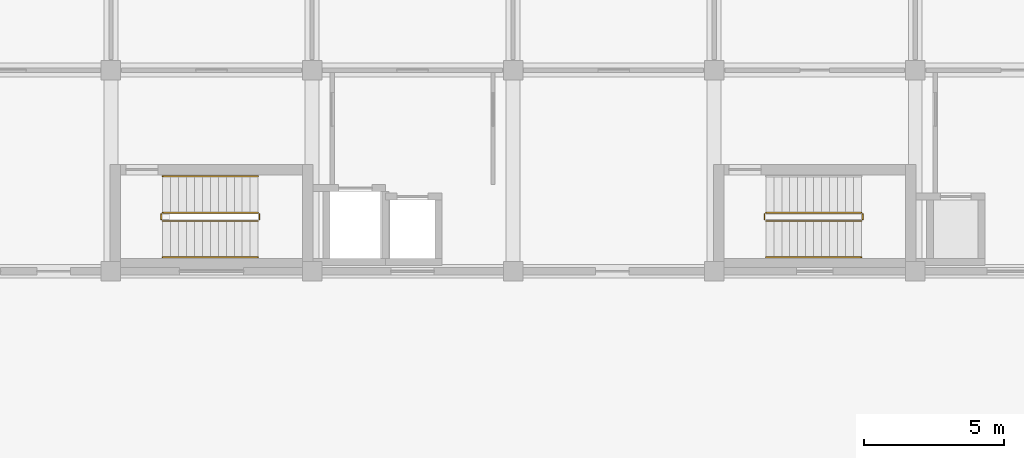
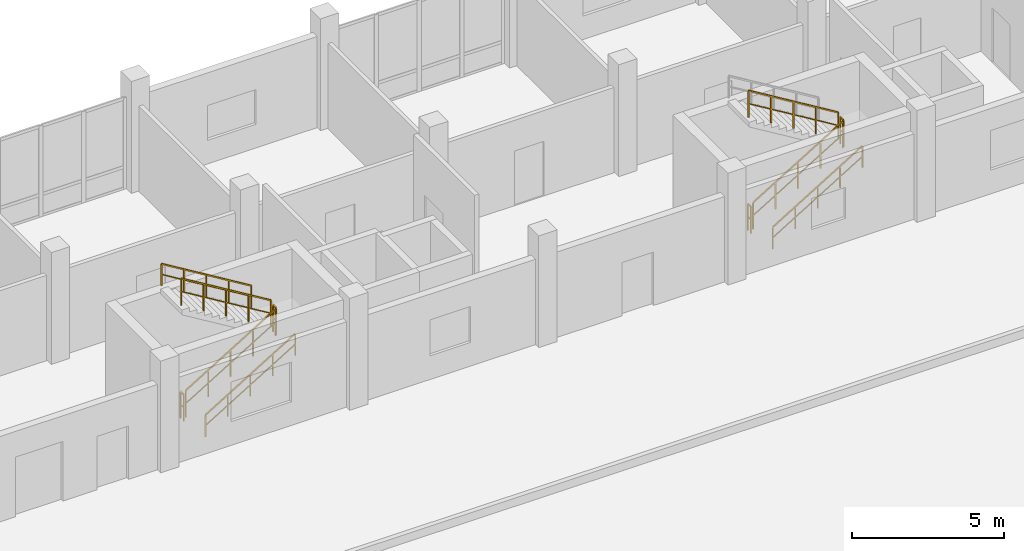
# One storey, part 137 of 139: 11 railings.
"""IFC4 building model written with IfcOpenShell, lengths in metres."""

import ifcopenshell
import ifcopenshell.guid

model = None  # the IFC model being written
_history = None  # IfcOwnerHistory: only IFC2X3 demands one
_inside = {}  # id of a spatial element -> (the spatial element, [elements in it])
_under = {}  # id of a project, library or spatial element -> (it, [spatial elements below it])
_declared = {}  # id of a project -> (the project, [libraries it declares])
_typed = {}  # id of a type object -> (the type object, [elements of that type])
_made_of = {}  # id of a material, layer set ... -> (it, [elements and type objects made of it])


def new_model(schema):
    """Start an empty IFC model of exactly this schema.

    Asked for "IFC4X3", IfcOpenShell would pick the latest addendum, in which some entities
    have other attributes; the version numbers below select the first issue.
    IFC2X3 requires an IfcOwnerHistory on every rooted entity: one is made here for all.
    """
    global model, _history
    if schema == "IFC4X3":
        model = ifcopenshell.file(schema_version=(4, 3, 0, 0))
    else:
        model = ifcopenshell.file(schema=schema)
    _inside.clear()
    _under.clear()
    _declared.clear()
    _typed.clear()
    _made_of.clear()
    _history = None
    if model.schema == "IFC2X3":
        org = make("IfcOrganization", Name="unknown")
        user = make(
            "IfcPersonAndOrganization",
            ThePerson=make("IfcPerson", FamilyName="unknown"),
            TheOrganization=org,
        )
        app = make(
            "IfcApplication",
            ApplicationDeveloper=org,
            Version="unknown",
            ApplicationFullName="unknown",
            ApplicationIdentifier="unknown",
        )
        _history = make(
            "IfcOwnerHistory",
            OwningUser=user,
            OwningApplication=app,
            ChangeAction="ADDED",
            CreationDate=0,
        )
    return model


def make(cls, **values):
    """One entity of the class cls with the attributes given. An attribute that is None is left unset."""
    return model.create_entity(
        cls, **{name: value for name, value in values.items() if value is not None}
    )


def rooted(cls, **values):
    """An entity with a GlobalId (a new one), such as an element, a storey or a relation."""
    return make(cls, GlobalId=ifcopenshell.guid.new(), OwnerHistory=_history, **values)


def si_unit(unit_type, name, prefix=None):
    """IfcSIUnit, for example si_unit("LENGTHUNIT", "METRE", prefix="MILLI")."""
    return make("IfcSIUnit", UnitType=unit_type, Prefix=prefix, Name=name)


def assignment(units):
    """IfcUnitAssignment: the units of a project."""
    return None if units is None else make("IfcUnitAssignment", Units=units)


def point(xyz):
    """IfcCartesianPoint."""
    return None if xyz is None else make("IfcCartesianPoint", Coordinates=xyz)


def direction(xyz):
    """IfcDirection."""
    return None if xyz is None else make("IfcDirection", DirectionRatios=xyz)


def frame(location, z_axis=None, x_axis=None):
    """IfcAxis2Placement3D, a coordinate frame: its origin and axes. An axis left out is left unset."""
    return make(
        "IfcAxis2Placement3D",
        Location=point(location),
        Axis=direction(z_axis),
        RefDirection=direction(x_axis),
    )


def frame_2d(location, x_axis=None):
    """IfcAxis2Placement2D, a coordinate frame in the plane: its origin and x axis."""
    return make(
        "IfcAxis2Placement2D", Location=point(location), RefDirection=direction(x_axis)
    )


def origin():
    """The frame at (0, 0, 0) with its axes left unset."""
    return frame((0.0, 0.0, 0.0))


def origin_2d():
    """The frame at (0, 0) in the plane with its x axis left unset."""
    return frame_2d((0.0, 0.0))


def place(relative_to, where):
    """IfcLocalPlacement: puts the frame where relative to a parent placement (None: the world)."""
    return make(
        "IfcLocalPlacement", PlacementRelTo=relative_to, RelativePlacement=where
    )


def context(
    kind, dimensions, precision=None, world=None, true_north=None, identifier=None
):
    """IfcGeometricRepresentationContext, for example the 3D "Model" context."""
    return make(
        "IfcGeometricRepresentationContext",
        ContextIdentifier=identifier,
        ContextType=kind,
        CoordinateSpaceDimension=dimensions,
        Precision=precision,
        WorldCoordinateSystem=world,
        TrueNorth=true_north,
    )


def subcontext(parent, identifier, kind, view, scale=None):
    """IfcGeometricRepresentationSubContext, for example "Body" below "Model"."""
    return make(
        "IfcGeometricRepresentationSubContext",
        ContextIdentifier=identifier,
        ContextType=kind,
        ParentContext=parent,
        TargetScale=scale,
        TargetView=view,
    )


def project(units=None, contexts=None):
    """IfcProject with its units and contexts."""
    return rooted(
        "IfcProject",
        Name="project",
        RepresentationContexts=contexts,
        UnitsInContext=assignment(units),
    )


def spatial(cls, under=None, at=None, **own):
    """A site, building, storey or space (cls), placed at a placement, below another one or the project."""
    s = rooted(cls, ObjectPlacement=at, **own)
    if under is not None:
        _under.setdefault(under.id(), (under, []))[1].append(s)
    return s


def profile(cls, at=None, kind="AREA", **sizes):
    """A parametric profile (cls). Its sizes go by their IFC names, for example OverallWidth=200.0."""
    return make(cls, ProfileType=kind, Position=at, **sizes)


def rectangle(**sizes):
    """IfcRectangleProfileDef."""
    return profile("IfcRectangleProfileDef", **sizes)


def extrude(swept, where, along, depth):
    """IfcExtrudedAreaSolid: the profile swept, set in the frame where, extruded along a direction by depth."""
    return make(
        "IfcExtrudedAreaSolid",
        SweptArea=swept,
        Position=where,
        ExtrudedDirection=direction(along),
        Depth=depth,
    )


def shape(context_of_items, identifier, shape_type, items):
    """IfcShapeRepresentation: the items that make up one representation, for example the "Body"."""
    return make(
        "IfcShapeRepresentation",
        ContextOfItems=context_of_items,
        RepresentationIdentifier=identifier,
        RepresentationType=shape_type,
        Items=items,
    )


def material(Name=None, Category=None):
    """IfcMaterial."""
    return make("IfcMaterial", Name=Name, Category=Category)


def made_of(thing, what):
    """Note that an element or type object is made of a material, layer set ...; save() writes the relation."""
    if what is not None:
        _made_of.setdefault(what.id(), (what, []))[1].append(thing)
    return thing


def type_object(cls, material=None, **own):
    """A type object (cls), such as IfcWallType, which elements share."""
    return made_of(rooted(cls, **own), material)


def element(
    cls,
    number,
    at=None,
    inside=None,
    cuts=None,
    type_object=None,
    material=None,
    context=None,
    identifier="Body",
    shape_type=None,
    held_by="IfcProductDefinitionShape",
    body=None,
    shapes=None,
    **own,
):
    """One element of the class cls, such as IfcWall. Its Tag is "e" and its number.

    at: its placement. inside: the storey or other place that contains it. cuts: it is an
    opening in that element (IfcRelVoidsElement). A single representation is given by context,
    identifier, shape_type and body (its items); several are given by shapes. held_by: the class
    of the entity that holds the representations. save() writes the other relations.
    """
    e = rooted(cls, Tag="e%d" % number, ObjectPlacement=at, **own)
    if body is not None:
        shapes = [shape(context, identifier, shape_type, body)]
    if shapes is not None:
        e.Representation = make(held_by, Representations=shapes)
    if inside is not None:
        _inside.setdefault(inside.id(), (inside, []))[1].append(e)
    if cuts is not None:
        rooted(
            "IfcRelVoidsElement", RelatingBuildingElement=cuts, RelatedOpeningElement=e
        )
    if type_object is not None:
        _typed.setdefault(type_object.id(), (type_object, []))[1].append(e)
    return made_of(e, material)


def aggregate(whole, parts):
    """IfcRelAggregates: a whole, such as a stair, and the parts it consists of."""
    return rooted("IfcRelAggregates", RelatingObject=whole, RelatedObjects=parts)


def save(model, path):
    """Write the relations noted so far, then the file.

    IfcRelAggregates (storeys below a building ...), IfcRelContainedInSpatialStructure (elements
    in a storey), IfcRelDefinesByType, IfcRelAssociatesMaterial and IfcRelDeclares: one each for
    every whole, place, type object, material and project.
    """
    for whole, parts in _under.values():
        aggregate(whole, parts)
    for where, things in _inside.values():
        rooted(
            "IfcRelContainedInSpatialStructure",
            RelatedElements=things,
            RelatingStructure=where,
        )
    for kind, things in _typed.values():
        rooted("IfcRelDefinesByType", RelatedObjects=things, RelatingType=kind)
    for what, things in _made_of.values():
        rooted("IfcRelAssociatesMaterial", RelatedObjects=things, RelatingMaterial=what)
    for by, libraries in _declared.values():
        rooted("IfcRelDeclares", RelatingContext=by, RelatedDefinitions=libraries)
    model.write(path)


model = new_model("IFC4")

# Units and contexts
model_context = context("Model", 3, precision=1e-05, world=origin(), true_north=direction((0.0, 1.0)))
body_context = subcontext(model_context, "Body", "Model", "MODEL_VIEW")
ifc_project = project(units=[si_unit("LENGTHUNIT", "METRE"), si_unit("AREAUNIT", "SQUARE_METRE"), si_unit("VOLUMEUNIT", "CUBIC_METRE"), si_unit("PLANEANGLEUNIT", "RADIAN"), si_unit("MASSUNIT", "GRAM", prefix="KILO")], contexts=[model_context])

# Site, building, storey
site_placement = place(None, origin())
site = spatial("IfcSite", under=ifc_project, at=site_placement, CompositionType="ELEMENT")
building_placement = place(site_placement, origin())
building = spatial("IfcBuilding", under=site, at=building_placement, Name="Suanplinth Sawtooth Commons", CompositionType="ELEMENT")
storey_placement = place(building_placement, origin())
storey = spatial("IfcBuildingStorey", under=building, at=storey_placement, Name="L00", CompositionType="ELEMENT", Elevation=0.0)

# Railings
ifc_material = material(Name="Stainless steel Grade 304", Category="steel")
railing_type_1 = type_object("IfcRailingType", Name="GR-04", PredefinedType="GUARDRAIL", material=ifc_material)
railing_1_placement = place(storey_placement, frame((138.64990234375, 109.800048828125, 0.173095703125)))
element("IfcRailing", 1, at=railing_1_placement, inside=storey, type_object=railing_type_1, Name="L00 ST-E1 Guard 1", PredefinedType="GUARDRAIL", context=body_context, shape_type="SweptSolid", body=[
    extrude(rectangle(XDim=0.048095703125, YDim=0.048095703125, at=origin_2d()), frame((0.0, 0.0, 1.076171875), z_axis=(0.854745945586, 0.0, 0.519046595696), x_axis=(0.0, 1.0, 0.0)), (0.0, 0.0, 1.0), 4.00146484375),
    extrude(rectangle(XDim=0.03369140625, YDim=0.03369140625, at=origin_2d()), frame((0.0, 0.0, 0.550048828125), z_axis=(0.854745945586, 0.0, 0.519046595696), x_axis=(0.0, 1.0, 0.0)), (0.0, 0.0, 1.0), 4.00146484375),
    extrude(rectangle(XDim=0.0419921875, YDim=0.0419921875, at=origin_2d()), origin(), (0.0, 0.0, 1.0), 1.052001953125),
    extrude(rectangle(XDim=0.0419921875, YDim=0.0419921875, at=origin_2d()), frame((0.85498046875, 0.0, 0.519287109375)), (0.0, 0.0, 1.0), 1.052001953125),
    extrude(rectangle(XDim=0.0419921875, YDim=0.0419921875, at=origin_2d()), frame((1.7099609375, 0.0, 1.03857421875)), (0.0, 0.0, 1.0), 1.052001953125),
    extrude(rectangle(XDim=0.0419921875, YDim=0.0419921875, at=origin_2d()), frame((2.565185546875, 0.0, 1.5576171875)), (0.0, 0.0, 1.0), 1.052001953125),
    extrude(rectangle(XDim=0.0419921875, YDim=0.0419921875, at=origin_2d()), frame((3.420166015625, 0.0, 2.076904296875)), (0.0, 0.0, 1.0), 1.052001953125),
])
railing_2_placement = place(storey_placement, frame((142.1201171875, 109.85009765625, 2.25)))
element("IfcRailing", 2, at=railing_2_placement, inside=storey, type_object=railing_type_1, Name="L00 ST-E1 Guard 2", PredefinedType="GUARDRAIL", context=body_context, shape_type="SweptSolid", body=[
    extrude(rectangle(XDim=0.048095703125, YDim=0.048095703125, at=origin_2d()), frame((0.0, 0.0, 1.076171875), z_axis=(0.0, 1.0, 0.0), x_axis=(-1.0, 0.0, 0.0)), (0.0, 0.0, 1.0), 0.199951171875),
    extrude(rectangle(XDim=0.03369140625, YDim=0.03369140625, at=origin_2d()), frame((0.0, 0.0, 0.550048828125), z_axis=(0.0, 1.0, 0.0), x_axis=(-1.0, 0.0, 0.0)), (0.0, 0.0, 1.0), 0.199951171875),
    extrude(rectangle(XDim=0.0419921875, YDim=0.0419921875, at=origin_2d()), origin(), (0.0, 0.0, 1.0), 1.052001953125),
    extrude(rectangle(XDim=0.0419921875, YDim=0.0419921875, at=origin_2d()), frame((0.0, 0.199951171875, 0.0)), (0.0, 0.0, 1.0), 1.052001953125),
])
railing_3_placement = place(storey_placement, frame((142.070068359375, 110.10009765625, 2.423095703125)))
element("IfcRailing", 3, at=railing_3_placement, inside=storey, type_object=railing_type_1, Name="L00 ST-E1 Guard 3", PredefinedType="GUARDRAIL", context=body_context, shape_type="SweptSolid", body=[
    extrude(rectangle(XDim=0.048095703125, YDim=0.048095703125, at=origin_2d()), frame((0.0, 0.0, 1.076171875), z_axis=(-0.854745945586, 0.0, 0.519046595696), x_axis=(0.0, -1.0, 0.0)), (0.0, 0.0, 1.0), 4.00146484375),
    extrude(rectangle(XDim=0.03369140625, YDim=0.03369140625, at=origin_2d()), frame((0.0, 0.0, 0.550048828125), z_axis=(-0.854745945586, 0.0, 0.519046595696), x_axis=(0.0, -1.0, 0.0)), (0.0, 0.0, 1.0), 4.00146484375),
    extrude(rectangle(XDim=0.0419921875, YDim=0.0419921875, at=origin_2d()), origin(), (0.0, 0.0, 1.0), 1.052001953125),
    extrude(rectangle(XDim=0.0419921875, YDim=0.0419921875, at=origin_2d()), frame((-0.85498046875, 0.0, 0.519287109375)), (0.0, 0.0, 1.0), 1.052001953125),
    extrude(rectangle(XDim=0.0419921875, YDim=0.0419921875, at=origin_2d()), frame((-1.7099609375, 0.0, 1.03857421875)), (0.0, 0.0, 1.0), 1.052001953125),
    extrude(rectangle(XDim=0.0419921875, YDim=0.0419921875, at=origin_2d()), frame((-2.565185546875, 0.0, 1.5576171875)), (0.0, 0.0, 1.0), 1.052001953125),
    extrude(rectangle(XDim=0.0419921875, YDim=0.0419921875, at=origin_2d()), frame((-3.420166015625, 0.0, 2.076904296875)), (0.0, 0.0, 1.0), 1.052001953125),
])
railing_4_placement = place(storey_placement, frame((138.60009765625, 109.85009765625, 0.0)))
element("IfcRailing", 4, at=railing_4_placement, inside=storey, type_object=railing_type_1, Name="L00 ST-E1 Guard 4", PredefinedType="GUARDRAIL", context=body_context, shape_type="SweptSolid", body=[
    extrude(rectangle(XDim=0.048095703125, YDim=0.048095703125, at=origin_2d()), frame((0.0, 0.0, 1.076171875), z_axis=(0.0, 1.0, 0.0), x_axis=(-1.0, 0.0, 0.0)), (0.0, 0.0, 1.0), 0.199951171875),
    extrude(rectangle(XDim=0.03369140625, YDim=0.03369140625, at=origin_2d()), frame((0.0, 0.0, 0.550048828125), z_axis=(0.0, 1.0, 0.0), x_axis=(-1.0, 0.0, 0.0)), (0.0, 0.0, 1.0), 0.199951171875),
    extrude(rectangle(XDim=0.0419921875, YDim=0.0419921875, at=origin_2d()), origin(), (0.0, 0.0, 1.0), 1.052001953125),
    extrude(rectangle(XDim=0.0419921875, YDim=0.0419921875, at=origin_2d()), frame((0.0, 0.199951171875, 0.0)), (0.0, 0.0, 1.0), 1.052001953125),
])
railing_5_placement = place(storey_placement, frame((160.25, 109.800048828125, 0.173095703125)))
element("IfcRailing", 5, at=railing_5_placement, inside=storey, type_object=railing_type_1, Name="L00 ST-E2 Guard 1", PredefinedType="GUARDRAIL", context=body_context, shape_type="SweptSolid", body=[
    extrude(rectangle(XDim=0.048095703125, YDim=0.048095703125, at=origin_2d()), frame((0.0, 0.0, 1.076171875), z_axis=(0.854729506542, 0.0, 0.519073665916), x_axis=(0.0, 1.0, 0.0)), (0.0, 0.0, 1.0), 4.001220703125),
    extrude(rectangle(XDim=0.03369140625, YDim=0.03369140625, at=origin_2d()), frame((0.0, 0.0, 0.550048828125), z_axis=(0.854729506542, 0.0, 0.519073665916), x_axis=(0.0, 1.0, 0.0)), (0.0, 0.0, 1.0), 4.001220703125),
    extrude(rectangle(XDim=0.0419921875, YDim=0.0419921875, at=origin_2d()), origin(), (0.0, 0.0, 1.0), 1.052001953125),
    extrude(rectangle(XDim=0.0419921875, YDim=0.0419921875, at=origin_2d()), frame((0.85498046875, 0.0, 0.519287109375)), (0.0, 0.0, 1.0), 1.052001953125),
    extrude(rectangle(XDim=0.0419921875, YDim=0.0419921875, at=origin_2d()), frame((1.7099609375, 0.0, 1.03857421875)), (0.0, 0.0, 1.0), 1.052001953125),
    extrude(rectangle(XDim=0.0419921875, YDim=0.0419921875, at=origin_2d()), frame((2.56494140625, 0.0, 1.5576171875)), (0.0, 0.0, 1.0), 1.052001953125),
    extrude(rectangle(XDim=0.0419921875, YDim=0.0419921875, at=origin_2d()), frame((3.419921875, 0.0, 2.076904296875)), (0.0, 0.0, 1.0), 1.052001953125),
])
railing_6_placement = place(storey_placement, frame((163.719970703125, 109.85009765625, 2.25)))
element("IfcRailing", 6, at=railing_6_placement, inside=storey, type_object=railing_type_1, Name="L00 ST-E2 Guard 2", PredefinedType="GUARDRAIL", context=body_context, shape_type="SweptSolid", body=[
    extrude(rectangle(XDim=0.048095703125, YDim=0.048095703125, at=origin_2d()), frame((0.0, 0.0, 1.076171875), z_axis=(0.0, 1.0, 0.0), x_axis=(-1.0, 0.0, 0.0)), (0.0, 0.0, 1.0), 0.199951171875),
    extrude(rectangle(XDim=0.03369140625, YDim=0.03369140625, at=origin_2d()), frame((0.0, 0.0, 0.550048828125), z_axis=(0.0, 1.0, 0.0), x_axis=(-1.0, 0.0, 0.0)), (0.0, 0.0, 1.0), 0.199951171875),
    extrude(rectangle(XDim=0.0419921875, YDim=0.0419921875, at=origin_2d()), origin(), (0.0, 0.0, 1.0), 1.052001953125),
    extrude(rectangle(XDim=0.0419921875, YDim=0.0419921875, at=origin_2d()), frame((0.0, 0.199951171875, 0.0)), (0.0, 0.0, 1.0), 1.052001953125),
])
railing_7_placement = place(storey_placement, frame((163.669921875, 110.10009765625, 2.423095703125)))
element("IfcRailing", 7, at=railing_7_placement, inside=storey, type_object=railing_type_1, Name="L00 ST-E2 Guard 3", PredefinedType="GUARDRAIL", context=body_context, shape_type="SweptSolid", body=[
    extrude(rectangle(XDim=0.048095703125, YDim=0.048095703125, at=origin_2d()), frame((0.0, 0.0, 1.076171875), z_axis=(-0.854729506542, 0.0, 0.519073665916), x_axis=(0.0, -1.0, 0.0)), (0.0, 0.0, 1.0), 4.001220703125),
    extrude(rectangle(XDim=0.03369140625, YDim=0.03369140625, at=origin_2d()), frame((0.0, 0.0, 0.550048828125), z_axis=(-0.854729506542, 0.0, 0.519073665916), x_axis=(0.0, -1.0, 0.0)), (0.0, 0.0, 1.0), 4.001220703125),
    extrude(rectangle(XDim=0.0419921875, YDim=0.0419921875, at=origin_2d()), origin(), (0.0, 0.0, 1.0), 1.052001953125),
    extrude(rectangle(XDim=0.0419921875, YDim=0.0419921875, at=origin_2d()), frame((-0.85498046875, 0.0, 0.519287109375)), (0.0, 0.0, 1.0), 1.052001953125),
    extrude(rectangle(XDim=0.0419921875, YDim=0.0419921875, at=origin_2d()), frame((-1.7099609375, 0.0, 1.03857421875)), (0.0, 0.0, 1.0), 1.052001953125),
    extrude(rectangle(XDim=0.0419921875, YDim=0.0419921875, at=origin_2d()), frame((-2.56494140625, 0.0, 1.5576171875)), (0.0, 0.0, 1.0), 1.052001953125),
    extrude(rectangle(XDim=0.0419921875, YDim=0.0419921875, at=origin_2d()), frame((-3.419921875, 0.0, 2.076904296875)), (0.0, 0.0, 1.0), 1.052001953125),
])
railing_8_placement = place(storey_placement, frame((160.199951171875, 109.85009765625, 0.0)))
element("IfcRailing", 8, at=railing_8_placement, inside=storey, type_object=railing_type_1, Name="L00 ST-E2 Guard 4", PredefinedType="GUARDRAIL", context=body_context, shape_type="SweptSolid", body=[
    extrude(rectangle(XDim=0.048095703125, YDim=0.048095703125, at=origin_2d()), frame((0.0, 0.0, 1.076171875), z_axis=(0.0, 1.0, 0.0), x_axis=(-1.0, 0.0, 0.0)), (0.0, 0.0, 1.0), 0.199951171875),
    extrude(rectangle(XDim=0.03369140625, YDim=0.03369140625, at=origin_2d()), frame((0.0, 0.0, 0.550048828125), z_axis=(0.0, 1.0, 0.0), x_axis=(-1.0, 0.0, 0.0)), (0.0, 0.0, 1.0), 0.199951171875),
    extrude(rectangle(XDim=0.0419921875, YDim=0.0419921875, at=origin_2d()), origin(), (0.0, 0.0, 1.0), 1.052001953125),
    extrude(rectangle(XDim=0.0419921875, YDim=0.0419921875, at=origin_2d()), frame((0.0, 0.199951171875, 0.0)), (0.0, 0.0, 1.0), 1.052001953125),
])
railing_type_2 = type_object("IfcRailingType", Name="HR-01", PredefinedType="HANDRAIL", material=ifc_material)
railing_9_placement = place(storey_placement, frame((138.64990234375, 108.5, 0.173095703125)))
element("IfcRailing", 9, at=railing_9_placement, inside=storey, type_object=railing_type_2, Name="L00 ST-E1 Handrail 1", PredefinedType="HANDRAIL", context=body_context, shape_type="SweptSolid", body=[
    extrude(rectangle(XDim=0.048095703125, YDim=0.048095703125, at=origin_2d()), frame((0.0, 0.0, 0.8759765625), z_axis=(0.854745945586, 0.0, 0.519046595696), x_axis=(0.0, 1.0, 0.0)), (0.0, 0.0, 1.0), 4.00146484375),
    extrude(rectangle(XDim=0.03369140625, YDim=0.03369140625, at=origin_2d()), frame((0.0, 0.0, 0.449951171875), z_axis=(0.854745945586, 0.0, 0.519046595696), x_axis=(0.0, 1.0, 0.0)), (0.0, 0.0, 1.0), 4.00146484375),
    extrude(rectangle(XDim=0.0419921875, YDim=0.0419921875, at=origin_2d()), origin(), (0.0, 0.0, 1.0), 0.851806640625),
    extrude(rectangle(XDim=0.0419921875, YDim=0.0419921875, at=origin_2d()), frame((0.85498046875, 0.0, 0.519287109375)), (0.0, 0.0, 1.0), 0.851806640625),
    extrude(rectangle(XDim=0.0419921875, YDim=0.0419921875, at=origin_2d()), frame((1.7099609375, 0.0, 1.03857421875)), (0.0, 0.0, 1.0), 0.851806640625),
    extrude(rectangle(XDim=0.0419921875, YDim=0.0419921875, at=origin_2d()), frame((2.565185546875, 0.0, 1.5576171875)), (0.0, 0.0, 1.0), 0.851806640625),
    extrude(rectangle(XDim=0.0419921875, YDim=0.0419921875, at=origin_2d()), frame((3.420166015625, 0.0, 2.076904296875)), (0.0, 0.0, 1.0), 0.851806640625),
])
railing_10_placement = place(storey_placement, frame((142.070068359375, 111.39990234375, 2.423095703125)))
element("IfcRailing", 10, at=railing_10_placement, inside=storey, type_object=railing_type_2, Name="L00 ST-E1 Handrail 2", PredefinedType="HANDRAIL", context=body_context, shape_type="SweptSolid", body=[
    extrude(rectangle(XDim=0.048095703125, YDim=0.048095703125, at=origin_2d()), frame((0.0, 0.0, 0.8759765625), z_axis=(-0.854745945586, 0.0, 0.519046595696), x_axis=(0.0, -1.0, 0.0)), (0.0, 0.0, 1.0), 4.00146484375),
    extrude(rectangle(XDim=0.03369140625, YDim=0.03369140625, at=origin_2d()), frame((0.0, 0.0, 0.449951171875), z_axis=(-0.854745945586, 0.0, 0.519046595696), x_axis=(0.0, -1.0, 0.0)), (0.0, 0.0, 1.0), 4.00146484375),
    extrude(rectangle(XDim=0.0419921875, YDim=0.0419921875, at=origin_2d()), origin(), (0.0, 0.0, 1.0), 0.851806640625),
    extrude(rectangle(XDim=0.0419921875, YDim=0.0419921875, at=origin_2d()), frame((-0.85498046875, 0.0, 0.519287109375)), (0.0, 0.0, 1.0), 0.851806640625),
    extrude(rectangle(XDim=0.0419921875, YDim=0.0419921875, at=origin_2d()), frame((-1.7099609375, 0.0, 1.03857421875)), (0.0, 0.0, 1.0), 0.851806640625),
    extrude(rectangle(XDim=0.0419921875, YDim=0.0419921875, at=origin_2d()), frame((-2.565185546875, 0.0, 1.5576171875)), (0.0, 0.0, 1.0), 0.851806640625),
    extrude(rectangle(XDim=0.0419921875, YDim=0.0419921875, at=origin_2d()), frame((-3.420166015625, 0.0, 2.076904296875)), (0.0, 0.0, 1.0), 0.851806640625),
])
railing_11_placement = place(storey_placement, frame((160.25, 108.5, 0.173095703125)))
element("IfcRailing", 11, at=railing_11_placement, inside=storey, type_object=railing_type_2, Name="L00 ST-E2 Handrail 1", PredefinedType="HANDRAIL", context=body_context, shape_type="SweptSolid", body=[
    extrude(rectangle(XDim=0.048095703125, YDim=0.048095703125, at=origin_2d()), frame((0.0, 0.0, 0.8759765625), z_axis=(0.854729506542, 0.0, 0.519073665916), x_axis=(0.0, 1.0, 0.0)), (0.0, 0.0, 1.0), 4.001220703125),
    extrude(rectangle(XDim=0.03369140625, YDim=0.03369140625, at=origin_2d()), frame((0.0, 0.0, 0.449951171875), z_axis=(0.854729506542, 0.0, 0.519073665916), x_axis=(0.0, 1.0, 0.0)), (0.0, 0.0, 1.0), 4.001220703125),
    extrude(rectangle(XDim=0.0419921875, YDim=0.0419921875, at=origin_2d()), origin(), (0.0, 0.0, 1.0), 0.851806640625),
    extrude(rectangle(XDim=0.0419921875, YDim=0.0419921875, at=origin_2d()), frame((0.85498046875, 0.0, 0.519287109375)), (0.0, 0.0, 1.0), 0.851806640625),
    extrude(rectangle(XDim=0.0419921875, YDim=0.0419921875, at=origin_2d()), frame((1.7099609375, 0.0, 1.03857421875)), (0.0, 0.0, 1.0), 0.851806640625),
    extrude(rectangle(XDim=0.0419921875, YDim=0.0419921875, at=origin_2d()), frame((2.56494140625, 0.0, 1.5576171875)), (0.0, 0.0, 1.0), 0.851806640625),
    extrude(rectangle(XDim=0.0419921875, YDim=0.0419921875, at=origin_2d()), frame((3.419921875, 0.0, 2.076904296875)), (0.0, 0.0, 1.0), 0.851806640625),
])

save(model, "model.ifc")
